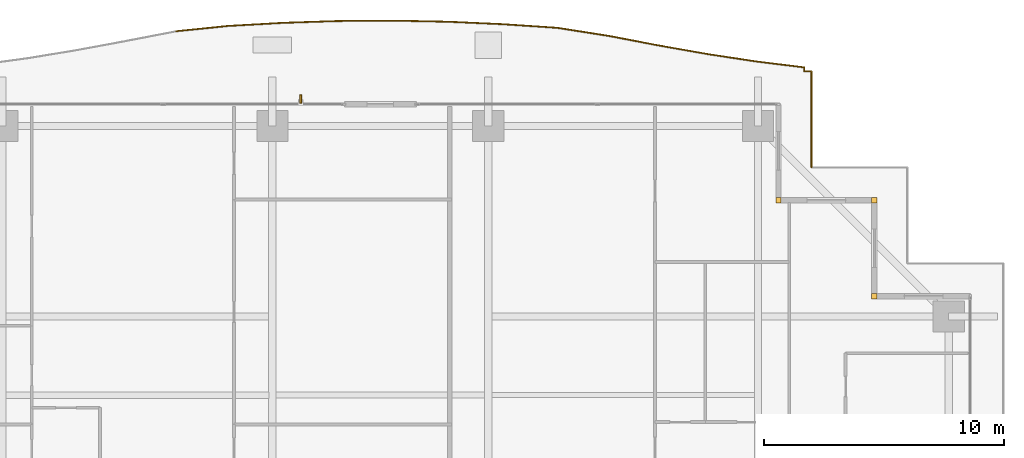
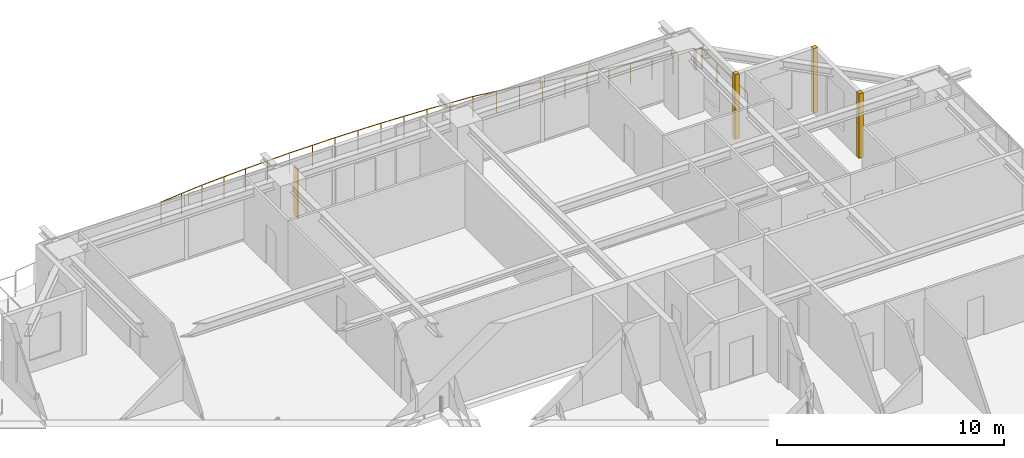
# One storey, part 39 of 39: 3 coverings, 2 railings, 1 shading device.
"""IFC4 building model written with IfcOpenShell, lengths in metres."""

import ifcopenshell
import ifcopenshell.guid

model = None  # the IFC model being written
_history = None  # IfcOwnerHistory: only IFC2X3 demands one
_inside = {}  # id of a spatial element -> (the spatial element, [elements in it])
_under = {}  # id of a project, library or spatial element -> (it, [spatial elements below it])
_declared = {}  # id of a project -> (the project, [libraries it declares])
_typed = {}  # id of a type object -> (the type object, [elements of that type])
_made_of = {}  # id of a material, layer set ... -> (it, [elements and type objects made of it])


def new_model(schema):
    """Start an empty IFC model of exactly this schema.

    Asked for "IFC4X3", IfcOpenShell would pick the latest addendum, in which some entities
    have other attributes; the version numbers below select the first issue.
    IFC2X3 requires an IfcOwnerHistory on every rooted entity: one is made here for all.
    """
    global model, _history
    if schema == "IFC4X3":
        model = ifcopenshell.file(schema_version=(4, 3, 0, 0))
    else:
        model = ifcopenshell.file(schema=schema)
    _inside.clear()
    _under.clear()
    _declared.clear()
    _typed.clear()
    _made_of.clear()
    _history = None
    if model.schema == "IFC2X3":
        org = make("IfcOrganization", Name="unknown")
        user = make(
            "IfcPersonAndOrganization",
            ThePerson=make("IfcPerson", FamilyName="unknown"),
            TheOrganization=org,
        )
        app = make(
            "IfcApplication",
            ApplicationDeveloper=org,
            Version="unknown",
            ApplicationFullName="unknown",
            ApplicationIdentifier="unknown",
        )
        _history = make(
            "IfcOwnerHistory",
            OwningUser=user,
            OwningApplication=app,
            ChangeAction="ADDED",
            CreationDate=0,
        )
    return model


def make(cls, **values):
    """One entity of the class cls with the attributes given. An attribute that is None is left unset."""
    return model.create_entity(
        cls, **{name: value for name, value in values.items() if value is not None}
    )


def rooted(cls, **values):
    """An entity with a GlobalId (a new one), such as an element, a storey or a relation."""
    return make(cls, GlobalId=ifcopenshell.guid.new(), OwnerHistory=_history, **values)


def si_unit(unit_type, name, prefix=None):
    """IfcSIUnit, for example si_unit("LENGTHUNIT", "METRE", prefix="MILLI")."""
    return make("IfcSIUnit", UnitType=unit_type, Prefix=prefix, Name=name)


def assignment(units):
    """IfcUnitAssignment: the units of a project."""
    return None if units is None else make("IfcUnitAssignment", Units=units)


def point(xyz):
    """IfcCartesianPoint."""
    return None if xyz is None else make("IfcCartesianPoint", Coordinates=xyz)


def direction(xyz):
    """IfcDirection."""
    return None if xyz is None else make("IfcDirection", DirectionRatios=xyz)


def frame(location, z_axis=None, x_axis=None):
    """IfcAxis2Placement3D, a coordinate frame: its origin and axes. An axis left out is left unset."""
    return make(
        "IfcAxis2Placement3D",
        Location=point(location),
        Axis=direction(z_axis),
        RefDirection=direction(x_axis),
    )


def frame_2d(location, x_axis=None):
    """IfcAxis2Placement2D, a coordinate frame in the plane: its origin and x axis."""
    return make(
        "IfcAxis2Placement2D", Location=point(location), RefDirection=direction(x_axis)
    )


def origin():
    """The frame at (0, 0, 0) with its axes left unset."""
    return frame((0.0, 0.0, 0.0))


def origin_2d():
    """The frame at (0, 0) in the plane with its x axis left unset."""
    return frame_2d((0.0, 0.0))


def place(relative_to, where):
    """IfcLocalPlacement: puts the frame where relative to a parent placement (None: the world)."""
    return make(
        "IfcLocalPlacement", PlacementRelTo=relative_to, RelativePlacement=where
    )


def context(
    kind, dimensions, precision=None, world=None, true_north=None, identifier=None
):
    """IfcGeometricRepresentationContext, for example the 3D "Model" context."""
    return make(
        "IfcGeometricRepresentationContext",
        ContextIdentifier=identifier,
        ContextType=kind,
        CoordinateSpaceDimension=dimensions,
        Precision=precision,
        WorldCoordinateSystem=world,
        TrueNorth=true_north,
    )


def subcontext(parent, identifier, kind, view, scale=None):
    """IfcGeometricRepresentationSubContext, for example "Body" below "Model"."""
    return make(
        "IfcGeometricRepresentationSubContext",
        ContextIdentifier=identifier,
        ContextType=kind,
        ParentContext=parent,
        TargetScale=scale,
        TargetView=view,
    )


def project(units=None, contexts=None):
    """IfcProject with its units and contexts."""
    return rooted(
        "IfcProject",
        Name="project",
        RepresentationContexts=contexts,
        UnitsInContext=assignment(units),
    )


def spatial(cls, under=None, at=None, **own):
    """A site, building, storey or space (cls), placed at a placement, below another one or the project."""
    s = rooted(cls, ObjectPlacement=at, **own)
    if under is not None:
        _under.setdefault(under.id(), (under, []))[1].append(s)
    return s


def profile(cls, at=None, kind="AREA", **sizes):
    """A parametric profile (cls). Its sizes go by their IFC names, for example OverallWidth=200.0."""
    return make(cls, ProfileType=kind, Position=at, **sizes)


def rectangle(**sizes):
    """IfcRectangleProfileDef."""
    return profile("IfcRectangleProfileDef", **sizes)


def circle(**sizes):
    """IfcCircleProfileDef."""
    return profile("IfcCircleProfileDef", **sizes)


def extrude(swept, where, along, depth):
    """IfcExtrudedAreaSolid: the profile swept, set in the frame where, extruded along a direction by depth."""
    return make(
        "IfcExtrudedAreaSolid",
        SweptArea=swept,
        Position=where,
        ExtrudedDirection=direction(along),
        Depth=depth,
    )


def shape(context_of_items, identifier, shape_type, items):
    """IfcShapeRepresentation: the items that make up one representation, for example the "Body"."""
    return make(
        "IfcShapeRepresentation",
        ContextOfItems=context_of_items,
        RepresentationIdentifier=identifier,
        RepresentationType=shape_type,
        Items=items,
    )


def source(mapping_origin, context_of_items, identifier, shape_type, items):
    """IfcRepresentationMap: a shape defined once, which mapped items show again and again."""
    return make(
        "IfcRepresentationMap",
        MappingOrigin=mapping_origin,
        MappedRepresentation=shape(context_of_items, identifier, shape_type, items),
    )


def transform(
    local_origin,
    x_axis=None,
    y_axis=None,
    z_axis=None,
    scale=None,
    scale2=None,
    scale3=None,
    uniform=True,
):
    """IfcCartesianTransformationOperator3D, or its non-uniform kind. x_axis, y_axis, z_axis: its Axis1, 2, 3."""
    if uniform:
        return make(
            "IfcCartesianTransformationOperator3D",
            Axis1=direction(x_axis),
            Axis2=direction(y_axis),
            LocalOrigin=point(local_origin),
            Scale=scale,
            Axis3=direction(z_axis),
        )
    return make(
        "IfcCartesianTransformationOperator3DnonUniform",
        Axis1=direction(x_axis),
        Axis2=direction(y_axis),
        LocalOrigin=point(local_origin),
        Scale=scale,
        Axis3=direction(z_axis),
        Scale2=scale2,
        Scale3=scale3,
    )


def mapped(mapping_source, mapping_target):
    """IfcMappedItem: shows the shape of a source again, moved by a transform."""
    return make(
        "IfcMappedItem", MappingSource=mapping_source, MappingTarget=mapping_target
    )


def material(Name=None, Category=None):
    """IfcMaterial."""
    return make("IfcMaterial", Name=Name, Category=Category)


def layer(
    of_material, thickness, ventilated=None, Name=None, Category=None, Priority=None
):
    """IfcMaterialLayer: one layer of a wall or slab, of a material (None: an air gap)."""
    return make(
        "IfcMaterialLayer",
        Material=of_material,
        LayerThickness=thickness,
        IsVentilated=ventilated,
        Name=Name,
        Category=Category,
        Priority=Priority,
    )


def layer_set(layers, Name=None):
    """IfcMaterialLayerSet."""
    return make("IfcMaterialLayerSet", MaterialLayers=layers, LayerSetName=Name)


def made_of(thing, what):
    """Note that an element or type object is made of a material, layer set ...; save() writes the relation."""
    if what is not None:
        _made_of.setdefault(what.id(), (what, []))[1].append(thing)
    return thing


def type_object(cls, material=None, **own):
    """A type object (cls), such as IfcWallType, which elements share."""
    return made_of(rooted(cls, **own), material)


def element(
    cls,
    number,
    at=None,
    inside=None,
    cuts=None,
    type_object=None,
    material=None,
    context=None,
    identifier="Body",
    shape_type=None,
    held_by="IfcProductDefinitionShape",
    body=None,
    shapes=None,
    **own,
):
    """One element of the class cls, such as IfcWall. Its Tag is "e" and its number.

    at: its placement. inside: the storey or other place that contains it. cuts: it is an
    opening in that element (IfcRelVoidsElement). A single representation is given by context,
    identifier, shape_type and body (its items); several are given by shapes. held_by: the class
    of the entity that holds the representations. save() writes the other relations.
    """
    e = rooted(cls, Tag="e%d" % number, ObjectPlacement=at, **own)
    if body is not None:
        shapes = [shape(context, identifier, shape_type, body)]
    if shapes is not None:
        e.Representation = make(held_by, Representations=shapes)
    if inside is not None:
        _inside.setdefault(inside.id(), (inside, []))[1].append(e)
    if cuts is not None:
        rooted(
            "IfcRelVoidsElement", RelatingBuildingElement=cuts, RelatedOpeningElement=e
        )
    if type_object is not None:
        _typed.setdefault(type_object.id(), (type_object, []))[1].append(e)
    return made_of(e, material)


def aggregate(whole, parts):
    """IfcRelAggregates: a whole, such as a stair, and the parts it consists of."""
    return rooted("IfcRelAggregates", RelatingObject=whole, RelatedObjects=parts)


def save(model, path):
    """Write the relations noted so far, then the file.

    IfcRelAggregates (storeys below a building ...), IfcRelContainedInSpatialStructure (elements
    in a storey), IfcRelDefinesByType, IfcRelAssociatesMaterial and IfcRelDeclares: one each for
    every whole, place, type object, material and project.
    """
    for whole, parts in _under.values():
        aggregate(whole, parts)
    for where, things in _inside.values():
        rooted(
            "IfcRelContainedInSpatialStructure",
            RelatedElements=things,
            RelatingStructure=where,
        )
    for kind, things in _typed.values():
        rooted("IfcRelDefinesByType", RelatedObjects=things, RelatingType=kind)
    for what, things in _made_of.values():
        rooted("IfcRelAssociatesMaterial", RelatedObjects=things, RelatingMaterial=what)
    for by, libraries in _declared.values():
        rooted("IfcRelDeclares", RelatingContext=by, RelatedDefinitions=libraries)
    model.write(path)


model = new_model("IFC4")

# Units and contexts
model_context = context("Model", 3, precision=1e-05, world=origin(), true_north=direction((0.0, 1.0)))
body_context = subcontext(model_context, "Body", "Model", "MODEL_VIEW")
ifc_project = project(units=[si_unit("LENGTHUNIT", "METRE"), si_unit("AREAUNIT", "SQUARE_METRE"), si_unit("VOLUMEUNIT", "CUBIC_METRE"), si_unit("PLANEANGLEUNIT", "RADIAN"), si_unit("MASSUNIT", "GRAM", prefix="KILO")], contexts=[model_context])

# Site, building, storey
site_placement = place(None, origin())
site = spatial("IfcSite", under=ifc_project, at=site_placement, CompositionType="ELEMENT")
building_placement = place(site_placement, origin())
building = spatial("IfcBuilding", under=site, at=building_placement, Name="Serunith Strait Residences", CompositionType="ELEMENT")
storey_placement = place(building_placement, frame((0.0, 0.0, 168.89990234375)))
storey = spatial("IfcBuildingStorey", under=building, at=storey_placement, Name="L42", CompositionType="ELEMENT", Elevation=168.89990234375)

# Railings
ifc_material_1 = material(Name="Stainless Steel & Laminated Glass Balustrade", Category="steel")
railing_type = type_object("IfcRailingType", Name="RLG-BALC-1150", PredefinedType="BALUSTRADE", material=ifc_material_1)
railing_1_placement = place(storey_placement, frame((23.82861328125, 52.041748046875, -0.0498046875)))
element("IfcRailing", 1, at=railing_1_placement, inside=storey, type_object=railing_type, Name="L42 Swirling Balcony Perimeter Balustrade 5", PredefinedType="BALUSTRADE", context=body_context, shape_type="SweptSolid", body=[
    extrude(circle(Radius=0.02392578125, at=origin_2d()), frame((0.001953125, 0.000244140625, 1.1259765625), z_axis=(0.994861373401, 0.101246470136, 0.0), x_axis=(-0.101246470136, 0.994861373401, 0.0)), (0.0, 0.0, 1.0), 2.22900390625),
    extrude(circle(Radius=0.02392578125, at=origin_2d()), frame((2.223388671875, 0.22607421875, 1.1259765625), z_axis=(0.998379173776, 0.056912435993, 0.0), x_axis=(-0.056912435993, 0.998379173776, 0.0)), (0.0, 0.0, 1.0), 2.27392578125),
    extrude(circle(Radius=0.02392578125, at=origin_2d()), frame((4.49755859375, 0.355712890625, 1.1259765625), z_axis=(0.999444789204, 0.033318363288, 0.0), x_axis=(-0.033318363288, 0.999444789204, 0.0)), (0.0, 0.0, 1.0), 2.296875),
    extrude(circle(Radius=0.02392578125, at=origin_2d()), frame((6.797119140625, 0.432373046875, 1.1259765625), z_axis=(0.999975699384, 0.006971416094, 0.0), x_axis=(-0.006971416094, 0.999975699384, 0.0)), (0.0, 0.0, 1.0), 2.307373046875),
    extrude(circle(Radius=0.02392578125, at=origin_2d()), frame((9.1083984375, 0.448486328125, 1.1259765625), z_axis=(0.999800144558, -0.019991771828, 0.0), x_axis=(0.019991771828, 0.999800144558, 0.0)), (0.0, 0.0, 1.0), 2.30419921875),
    extrude(circle(Radius=0.02392578125, at=origin_2d()), frame((11.416015625, 0.40234375, 1.1259765625), z_axis=(0.998978840593, -0.045180483031, 0.0), x_axis=(0.045180483031, 0.998978840593, 0.0)), (0.0, 0.0, 1.0), 2.287109375),
    extrude(circle(Radius=0.02392578125, at=origin_2d()), frame((13.704833984375, 0.298583984375, 1.1259765625), z_axis=(0.997768902161, -0.066762398707, 0.0), x_axis=(0.066762398707, 0.997768902161, 0.0)), (0.0, 0.0, 1.0), 2.259521484375),
    extrude(circle(Radius=0.02392578125, at=origin_2d()), frame((15.96337890625, 0.1474609375, 1.1259765625), z_axis=(0.987812600636, -0.155647891167, 0.0), x_axis=(0.155647891167, 0.987812600636, 0.0)), (0.0, 0.0, 1.0), 2.187255859375),
    extrude(circle(Radius=0.02099609375, at=origin_2d()), origin(), (0.0, 0.0, 1.0), 1.099853515625),
    extrude(circle(Radius=0.02099609375, at=origin_2d()), frame((1.11083984375, 0.113037109375, 0.0)), (0.0, 0.0, 1.0), 1.099853515625),
    extrude(circle(Radius=0.02099609375, at=origin_2d()), frame((2.221435546875, 0.22607421875, 0.0)), (0.0, 0.0, 1.0), 1.099853515625),
    extrude(circle(Radius=0.02099609375, at=origin_2d()), frame((3.3583984375, 0.291015625, 0.0)), (0.0, 0.0, 1.0), 1.099853515625),
    extrude(circle(Radius=0.02099609375, at=origin_2d()), frame((4.49560546875, 0.355712890625, 0.0)), (0.0, 0.0, 1.0), 1.099853515625),
    extrude(circle(Radius=0.02099609375, at=origin_2d()), frame((5.6455078125, 0.39404296875, 0.0)), (0.0, 0.0, 1.0), 1.099853515625),
    extrude(circle(Radius=0.02099609375, at=origin_2d()), frame((6.795166015625, 0.432373046875, 0.0)), (0.0, 0.0, 1.0), 1.099853515625),
    extrude(circle(Radius=0.02099609375, at=origin_2d()), frame((7.95068359375, 0.4404296875, 0.0)), (0.0, 0.0, 1.0), 1.099853515625),
    extrude(circle(Radius=0.02099609375, at=origin_2d()), frame((9.1064453125, 0.448486328125, 0.0)), (0.0, 0.0, 1.0), 1.099853515625),
    extrude(circle(Radius=0.02099609375, at=origin_2d()), frame((10.26025390625, 0.42529296875, 0.0)), (0.0, 0.0, 1.0), 1.099853515625),
    extrude(circle(Radius=0.02099609375, at=origin_2d()), frame((11.4140625, 0.40234375, 0.0)), (0.0, 0.0, 1.0), 1.099853515625),
    extrude(circle(Radius=0.02099609375, at=origin_2d()), frame((12.55859375, 0.3505859375, 0.0)), (0.0, 0.0, 1.0), 1.099853515625),
    extrude(circle(Radius=0.02099609375, at=origin_2d()), frame((13.702880859375, 0.298828125, 0.0)), (0.0, 0.0, 1.0), 1.099853515625),
    extrude(circle(Radius=0.02099609375, at=origin_2d()), frame((14.83203125, 0.22314453125, 0.0)), (0.0, 0.0, 1.0), 1.099853515625),
    extrude(circle(Radius=0.02099609375, at=origin_2d()), frame((15.96142578125, 0.147705078125, 0.0)), (0.0, 0.0, 1.0), 1.099853515625),
    extrude(circle(Radius=0.02099609375, at=origin_2d()), frame((17.043701171875, -0.02294921875, 0.0)), (0.0, 0.0, 1.0), 1.099853515625),
    extrude(circle(Radius=0.02099609375, at=origin_2d()), frame((18.1259765625, -0.193359375, 0.0)), (0.0, 0.0, 1.0), 1.099853515625),
])
railing_2_placement = place(storey_placement, frame((41.95458984375, 51.848388671875, -0.0498046875)))
element("IfcRailing", 2, at=railing_2_placement, inside=storey, type_object=railing_type, Name="L42 Swirling Balcony Perimeter Balustrade 6", PredefinedType="BALUSTRADE", context=body_context, shape_type="SweptSolid", body=[
    extrude(circle(Radius=0.02392578125, at=origin_2d()), frame((0.001953125, -0.00048828125, 1.1259765625), z_axis=(0.98214341768, -0.188133747926, 0.0), x_axis=(0.188133747926, 0.98214341768, 0.0)), (0.0, 0.0, 1.0), 2.115234375),
    extrude(circle(Radius=0.02392578125, at=origin_2d()), frame((2.083251953125, -0.39892578125, 1.1259765625), z_axis=(0.984801395454, -0.173684229312, 0.0), x_axis=(0.173684229312, 0.984801395454, 0.0)), (0.0, 0.0, 1.0), 2.062255859375),
    extrude(circle(Radius=0.02392578125, at=origin_2d()), frame((4.1181640625, -0.7578125, 1.1259765625), z_axis=(0.988749478949, -0.149580974317, 0.0), x_axis=(0.149580974317, 0.988749478949, 0.0)), (0.0, 0.0, 1.0), 2.0263671875),
    extrude(circle(Radius=0.02392578125, at=origin_2d()), frame((6.125732421875, -1.0615234375, 1.1259765625), z_axis=(0.992456118744, -0.122600376704, 0.0), x_axis=(0.122600376704, 0.992456118744, 0.0)), (0.0, 0.0, 1.0), 2.00732421875),
    extrude(circle(Radius=0.02392578125, at=origin_2d()), frame((8.119873046875, -1.309814453125, 1.1259765625), z_axis=(-0.007598564821, -0.99997113049, 0.0), x_axis=(0.99997113049, -0.007598564821, 0.0)), (0.0, 0.0, 1.0), 0.15673828125),
    extrude(circle(Radius=0.02392578125, at=origin_2d()), frame((8.12060546875, -1.468505859375, 1.1259765625), z_axis=(1.0, 0.0, 0.0), x_axis=(0.0, 1.0, 0.0)), (0.0, 0.0, 1.0), 0.302734375),
    extrude(circle(Radius=0.02392578125, at=origin_2d()), frame((8.42529296875, -1.470458984375, 1.1259765625), z_axis=(0.0, -1.0, 0.0), x_axis=(1.0, 0.0, 0.0)), (0.0, 0.0, 1.0), 3.99609375),
    extrude(circle(Radius=0.02099609375, at=origin_2d()), origin(), (0.0, 0.0, 1.0), 1.099853515625),
    extrude(circle(Radius=0.02099609375, at=origin_2d()), frame((1.04052734375, -0.19921875, 0.0)), (0.0, 0.0, 1.0), 1.099853515625),
    extrude(circle(Radius=0.02099609375, at=origin_2d()), frame((2.081298828125, -0.398681640625, 0.0)), (0.0, 0.0, 1.0), 1.099853515625),
    extrude(circle(Radius=0.02099609375, at=origin_2d()), frame((3.0986328125, -0.578125, 0.0)), (0.0, 0.0, 1.0), 1.099853515625),
    extrude(circle(Radius=0.02099609375, at=origin_2d()), frame((4.1162109375, -0.757568359375, 0.0)), (0.0, 0.0, 1.0), 1.099853515625),
    extrude(circle(Radius=0.02099609375, at=origin_2d()), frame((5.1201171875, -0.909423828125, 0.0)), (0.0, 0.0, 1.0), 1.099853515625),
    extrude(circle(Radius=0.02099609375, at=origin_2d()), frame((6.123779296875, -1.061279296875, 0.0)), (0.0, 0.0, 1.0), 1.099853515625),
    extrude(circle(Radius=0.02099609375, at=origin_2d()), frame((7.121826171875, -1.1845703125, 0.0)), (0.0, 0.0, 1.0), 1.099853515625),
    extrude(circle(Radius=0.02099609375, at=origin_2d()), frame((8.119873046875, -1.307861328125, 0.0)), (0.0, 0.0, 1.0), 1.099853515625),
    extrude(circle(Radius=0.02099609375, at=origin_2d()), frame((8.11865234375, -1.468505859375, 0.0)), (0.0, 0.0, 1.0), 1.099853515625),
    extrude(circle(Radius=0.02099609375, at=origin_2d()), frame((8.42529296875, -1.468505859375, 0.0)), (0.0, 0.0, 1.0), 1.099853515625),
    extrude(circle(Radius=0.02099609375, at=origin_2d()), frame((8.42529296875, -2.8017578125, 0.0)), (0.0, 0.0, 1.0), 1.099853515625),
    extrude(circle(Radius=0.02099609375, at=origin_2d()), frame((8.42529296875, -4.13525390625, 0.0)), (0.0, 0.0, 1.0), 1.099853515625),
    extrude(circle(Radius=0.02099609375, at=origin_2d()), frame((8.42529296875, -5.468505859375, 0.0)), (0.0, 0.0, 1.0), 1.099853515625),
])

# Coverings
ifc_material_2 = material(Name="Pale-Champagne Anodised Aluminium", Category="aluminium")
ifc_layer = layer(ifc_material_2, 0.219970703125, Name="Pale-Champagne Anodised Aluminium")
ifc_layer_set = layer_set([ifc_layer], Name="Pale-Champagne Anodised Aluminium")
covering_type = type_object("IfcCoveringType", Name="COV-CORN-TRIM", PredefinedType="CLADDING", material=ifc_layer_set)
shared_shape_1 = source(origin(), body_context, "Body", "SweptSolid", [
    extrude(rectangle(XDim=0.221923828125, YDim=0.221923828125, at=origin_2d()), origin(), (0.0, 0.0, 1.0), 3.47509765625),
])
for number, where, z_axis, x_axis, name in (
    (3, (53.0, 41.0, 0.0), (0.0, 0.0, 1.0), (1.0, 0.0, 0.0), "L42 Girih Serrated Corner Trim Post 07"),
    (4, (53.0, 45.0, 0.0), (0.0, 0.0, 1.0), (1.0, 0.0, 0.0), "L42 Girih Serrated Corner Trim Post 08"),
    (5, (49.0, 45.0, 0.0), (0.0, 0.0, 1.0), (1.0, 0.0, 0.0), "L42 Girih Serrated Corner Trim Post 09"),
):
    element("IfcCovering", number, at=place(storey_placement, frame(where, z_axis=z_axis, x_axis=x_axis)), inside=storey, type_object=covering_type, Name=name, PredefinedType="CLADDING", context=body_context, shape_type="MappedRepresentation", body=[
        mapped(shared_shape_1, transform((0.0, 0.0, 0.0), scale=1.0)),
    ])

# Shading device
ifc_material_3 = material(Name="Pale-Champagne Perforated Aluminium Fin", Category="aluminium")
shading_device_type = type_object("IfcShadingDeviceType", Name="SHD-DIAG-FIN", PredefinedType="AWNING", material=ifc_material_3)
shared_shape_2 = source(origin(), body_context, "Body", "SweptSolid", [
    extrude(rectangle(XDim=0.080078125, YDim=0.35009765625, at=origin_2d()), origin(), (0.0, 0.0, 1.0), 2.60009765625),
])
shading_device_placement = place(storey_placement, frame((29.080078125, 49.219970703125, 0.199951171875), z_axis=(0.0, 0.0, 1.0), x_axis=(1.0, 0.0, 0.0)))
element("IfcShadingDevice", 6, at=shading_device_placement, inside=storey, type_object=shading_device_type, Name="L42 Diagonal Rhythm Solar Fin N", PredefinedType="AWNING", context=body_context, shape_type="MappedRepresentation", body=[
    mapped(shared_shape_2, transform((0.0, 0.0, 0.0), scale=1.0)),
])

save(model, "model.ifc")
